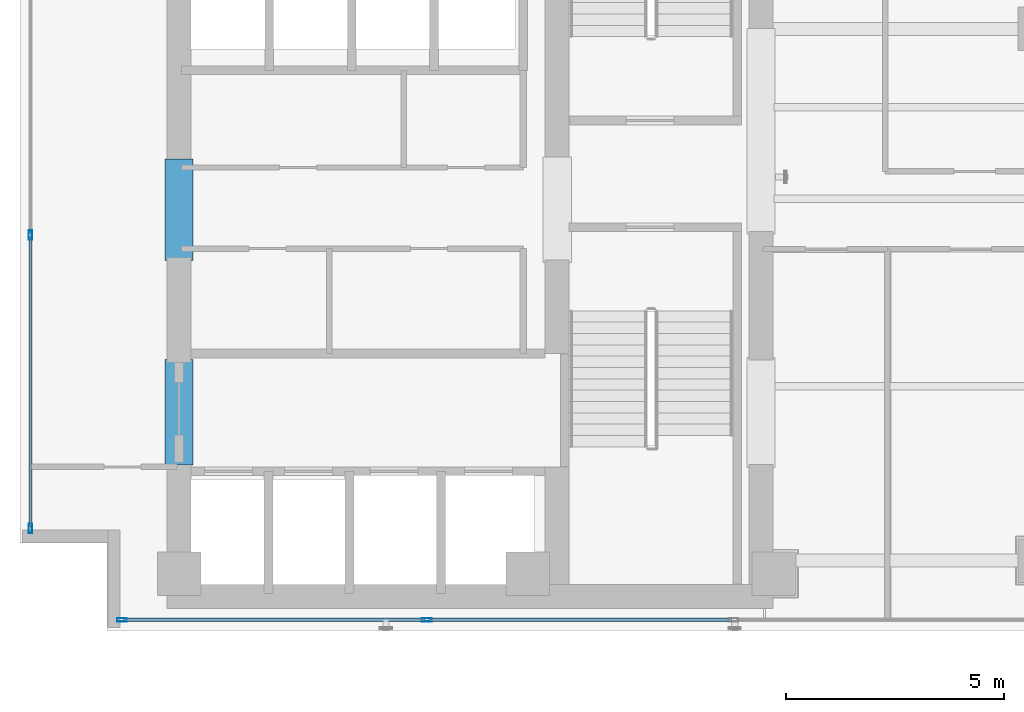
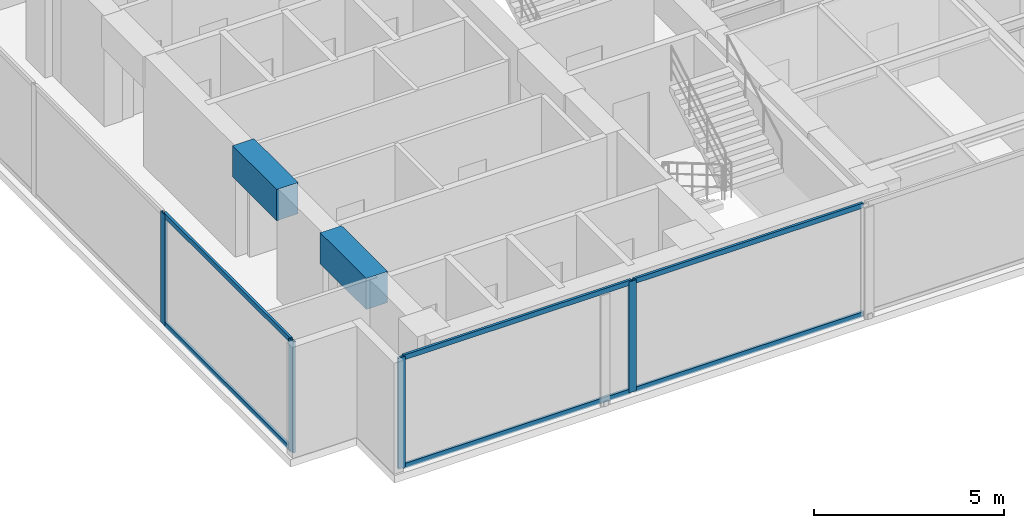
# One storey, part 2 of 24: 10 members, 2 beams, 2 elements without a shape of their own.
"""IFC4 building model written with IfcOpenShell, lengths in metres."""

from ifc_helpers import new_model, si_unit, direction, frame, origin, origin_with_axes, origin_2d, place, context, subcontext, project, spatial, rectangle, hollow_rectangle, extrude, source, transform, mapped, material, layer, layer_set, material_profile, profile_set, type_object, element, aggregate, save


model = new_model("IFC4")

# Units and contexts
model_context = context("Model", 3, precision=1e-05, world=origin(), true_north=direction((0.0, 1.0)))
body_context = subcontext(model_context, "Body", "Model", "MODEL_VIEW")
ifc_project = project(units=[si_unit("LENGTHUNIT", "METRE"), si_unit("AREAUNIT", "SQUARE_METRE"), si_unit("VOLUMEUNIT", "CUBIC_METRE"), si_unit("PLANEANGLEUNIT", "RADIAN"), si_unit("MASSUNIT", "GRAM", prefix="KILO")], contexts=[model_context])

# Site, building, storey
site_placement = place(None, origin())
site = spatial("IfcSite", under=ifc_project, at=site_placement, CompositionType="ELEMENT")
building_placement = place(site_placement, origin())
building = spatial("IfcBuilding", under=site, at=building_placement, Name="Kolvaren Waterfront Exchange", CompositionType="ELEMENT")
storey_placement = place(building_placement, frame((0.0, 0.0, 238.699951171875)))
storey = spatial("IfcBuildingStorey", under=building, at=storey_placement, Name="L61", CompositionType="ELEMENT", Elevation=238.699951171875)

# Beams
ifc_material_1 = material(Name="Concrete C60/75", Category="concrete")
ifc_material_profile_1 = material_profile(ifc_material_1, rectangle(XDim=0.64990234375, YDim=1.0, at=origin_2d()), Name="RC-CB-1000x650")
ifc_profile_set_1 = profile_set([ifc_material_profile_1], Name="Concrete C60/75")
beam_type = type_object("IfcBeamType", Name="STR-CB-1000", PredefinedType="SPANDREL", material=ifc_profile_set_1)
beam_1_placement = place(storey_placement, frame((7.449951171875, 7.389892578125, 3.06005859375), z_axis=(0.0, 1.0, 0.0), x_axis=(-1.0, 0.0, 0.0)))
element("IfcBeam", 1, at=beam_1_placement, inside=storey, type_object=beam_type, Name="L61 core coupling beam 3", PredefinedType="SPANDREL", context=body_context, shape_type="SweptSolid", body=[
    extrude(rectangle(XDim=0.64990234375, YDim=1.0, at=origin_2d()), origin(), (0.0, 0.0, 1.0), 2.420166015625),
])
beam_2_placement = place(storey_placement, frame((7.449951171875, 12.090087890625, 3.06005859375), z_axis=(0.0, 1.0, 0.0), x_axis=(-1.0, 0.0, 0.0)))
element("IfcBeam", 2, at=beam_2_placement, inside=storey, type_object=beam_type, Name="L61 core coupling beam 4", PredefinedType="SPANDREL", context=body_context, shape_type="SweptSolid", body=[
    extrude(rectangle(XDim=0.64990234375, YDim=1.0, at=origin_2d()), origin(), (0.0, 0.0, 1.0), 2.31982421875),
])

# Curtain wall, members
ifc_material_2 = material(Name="Anodised bronze aluminium 6063-T6", Category="aluminium")
ifc_layer_1 = layer(ifc_material_2, 0.219970703125, Name="Anodised bronze aluminium 6063-T6")
ifc_layer_set_1 = layer_set([ifc_layer_1], Name="Anodised bronze aluminium 6063-T6")
curtain_wall_type_1 = type_object("IfcCurtainWallType", Name="ARC-CW-SYS1", PredefinedType="USERDEFINED", material=ifc_layer_set_1)
curtain_wall_1_placement = place(storey_placement, origin())
curtain_wall_1 = element("IfcCurtainWall", 3, at=curtain_wall_1_placement, inside=storey, type_object=curtain_wall_type_1, Name="L61 stick curtain wall CW1 (CW-L61-S)", ObjectType="STICK CURTAIN WALL", PredefinedType="USERDEFINED")
ifc_material_3 = material(Name="Anodised aluminium 6063-T6", Category="aluminium")
ifc_material_profile_2 = material_profile(ifc_material_3, hollow_rectangle(XDim=0.080078125, YDim=0.219970703125, WallThickness=0.0048828125, at=origin_2d()), Name="ALU-MUL-220x80x5")
ifc_profile_set_2 = profile_set([ifc_material_profile_2], Name="Anodised aluminium 6063-T6")
member_type_1 = type_object("IfcMemberType", Name="ARC-CWM-220", PredefinedType="MULLION", material=ifc_profile_set_2)
shared_shape_1 = source(origin_with_axes(), body_context, "Body", "SweptSolid", [
    extrude(hollow_rectangle(XDim=0.080078125, YDim=0.219970703125, WallThickness=0.0048828125, at=origin_2d()), origin(), (0.0, 0.0, 1.0), 3.56005859375),
])
member_1_placement = place(storey_placement, frame((6.139892578125, 3.840087890625, 0.0), z_axis=(0.0, 0.0, 1.0), x_axis=(0.0, 1.0, 0.0)))
member_1 = element("IfcMember", 4, at=member_1_placement, type_object=member_type_1, Name="CW1 mullion 1", PredefinedType="MULLION", context=body_context, shape_type="MappedRepresentation", body=[
    mapped(shared_shape_1, transform((0.0, 0.0, 0.0), x_axis=(1.0, 0.0, 0.0), y_axis=(0.0, 1.0, 0.0), z_axis=(0.0, 0.0, 1.0), scale=1.0)),
])
member_2_placement = place(storey_placement, frame((13.13330078125, 3.840087890625, 0.0), z_axis=(0.0, 0.0, 1.0), x_axis=(0.0, 1.0, 0.0)))
member_2 = element("IfcMember", 5, at=member_2_placement, type_object=member_type_1, Name="CW1 mullion 2", PredefinedType="MULLION", context=body_context, shape_type="MappedRepresentation", body=[
    mapped(shared_shape_1, transform((0.0, 0.0, 0.0), x_axis=(1.0, 0.0, 0.0), y_axis=(0.0, 1.0, 0.0), z_axis=(0.0, 0.0, 1.0), scale=1.0)),
])

ifc_layer_2 = layer(ifc_material_3, 0.219970703125, Name="Anodised aluminium 6063-T6")
ifc_layer_set_2 = layer_set([ifc_layer_2], Name="Anodised aluminium 6063-T6")
curtain_wall_type_2 = type_object("IfcCurtainWallType", Name="ARC-CW-SYS2", PredefinedType="USERDEFINED", material=ifc_layer_set_2)
curtain_wall_2_placement = place(storey_placement, origin())
curtain_wall_2 = element("IfcCurtainWall", 6, at=curtain_wall_2_placement, inside=storey, type_object=curtain_wall_type_2, Name="L61 stick curtain wall CW2 (CW-L61-W)", ObjectType="STICK CURTAIN WALL", PredefinedType="USERDEFINED")
member_3_placement = place(storey_placement, frame((4.0400390625, 5.93994140625, 0.0), z_axis=(0.0, 0.0, 1.0), x_axis=(-1.0, 0.0, 0.0)))
member_3 = element("IfcMember", 7, at=member_3_placement, type_object=member_type_1, Name="CW2 mullion 1", PredefinedType="MULLION", context=body_context, shape_type="MappedRepresentation", body=[
    mapped(shared_shape_1, transform((0.0, 0.0, 0.0), x_axis=(1.0, 0.0, 0.0), y_axis=(0.0, 1.0, 0.0), z_axis=(0.0, 0.0, 1.0), scale=1.0)),
])
member_4_placement = place(storey_placement, frame((4.0400390625, 12.666748046875, 0.0), z_axis=(0.0, 0.0, 1.0), x_axis=(-1.0, 0.0, 0.0)))
member_4 = element("IfcMember", 8, at=member_4_placement, type_object=member_type_1, Name="CW2 mullion 2", PredefinedType="MULLION", context=body_context, shape_type="MappedRepresentation", body=[
    mapped(shared_shape_1, transform((0.0, 0.0, 0.0), x_axis=(1.0, 0.0, 0.0), y_axis=(0.0, 1.0, 0.0), z_axis=(0.0, 0.0, 1.0), scale=1.0)),
])
ifc_material_profile_3 = material_profile(ifc_material_3, hollow_rectangle(XDim=0.074951171875, YDim=0.159912109375, WallThickness=0.00439453125, at=origin_2d()), Name="ALU-TRN-160x75x4.5")
ifc_profile_set_3 = profile_set([ifc_material_profile_3], Name="Anodised aluminium 6063-T6")
member_type_2 = type_object("IfcMemberType", Name="ARC-CWT-160", PredefinedType="USERDEFINED", material=ifc_profile_set_3)
shared_shape_2 = source(origin_with_axes(), body_context, "Body", "SweptSolid", [
    extrude(hollow_rectangle(XDim=0.074951171875, YDim=0.159912109375, WallThickness=0.00439453125, at=origin_2d()), origin(), (0.0, 0.0, 1.0), 6.646728515625),
])
member_5_placement = place(storey_placement, frame((4.0400390625, 5.97998046875, 0.03759765625), z_axis=(0.0, 1.0, 0.0), x_axis=(-1.0, 0.0, 0.0)))
member_5 = element("IfcMember", 9, at=member_5_placement, type_object=member_type_2, Name="CW2 transom 1.1", ObjectType="TRANSOM", PredefinedType="USERDEFINED", context=body_context, shape_type="MappedRepresentation", body=[
    mapped(shared_shape_2, transform((0.0, 0.0, 0.0), x_axis=(1.0, 0.0, 0.0), y_axis=(0.0, 1.0, 0.0), z_axis=(0.0, 0.0, 1.0), scale=1.0)),
])
member_6_placement = place(storey_placement, frame((4.0400390625, 5.97998046875, 3.5224609375), z_axis=(0.0, 1.0, 0.0), x_axis=(-1.0, 0.0, 0.0)))
member_6 = element("IfcMember", 10, at=member_6_placement, type_object=member_type_2, Name="CW2 transom 1.2", ObjectType="TRANSOM", PredefinedType="USERDEFINED", context=body_context, shape_type="MappedRepresentation", body=[
    mapped(shared_shape_2, transform((0.0, 0.0, 0.0), x_axis=(1.0, 0.0, 0.0), y_axis=(0.0, 1.0, 0.0), z_axis=(0.0, 0.0, 1.0), scale=1.0)),
])
aggregate(curtain_wall_2, [member_3, member_4, member_5, member_6])

# Member
shared_shape_3 = source(origin_with_axes(), body_context, "Body", "SweptSolid", [
    extrude(hollow_rectangle(XDim=0.074951171875, YDim=0.159912109375, WallThickness=0.00439453125, at=origin_2d()), origin(), (0.0, 0.0, 1.0), 6.913330078125),
])
member_7_placement = place(storey_placement, frame((6.179931640625, 3.840087890625, 0.03759765625), z_axis=(1.0, 0.0, 0.0), x_axis=(0.0, 1.0, 0.0)))
member_7 = element("IfcMember", 11, at=member_7_placement, type_object=member_type_2, Name="CW1 transom 1.1", ObjectType="TRANSOM", PredefinedType="USERDEFINED", context=body_context, shape_type="MappedRepresentation", body=[
    mapped(shared_shape_3, transform((0.0, 0.0, 0.0), x_axis=(1.0, 0.0, 0.0), y_axis=(0.0, 1.0, 0.0), z_axis=(0.0, 0.0, 1.0), scale=1.0)),
])

member_8_placement = place(storey_placement, frame((6.179931640625, 3.840087890625, 3.5224609375), z_axis=(1.0, 0.0, 0.0), x_axis=(0.0, 1.0, 0.0)))
member_8 = element("IfcMember", 12, at=member_8_placement, type_object=member_type_2, Name="CW1 transom 1.2", ObjectType="TRANSOM", PredefinedType="USERDEFINED", context=body_context, shape_type="MappedRepresentation", body=[
    mapped(shared_shape_3, transform((0.0, 0.0, 0.0), x_axis=(1.0, 0.0, 0.0), y_axis=(0.0, 1.0, 0.0), z_axis=(0.0, 0.0, 1.0), scale=1.0)),
])

shared_shape_4 = source(origin_with_axes(), body_context, "Body", "SweptSolid", [
    extrude(hollow_rectangle(XDim=0.074951171875, YDim=0.159912109375, WallThickness=0.00439453125, at=origin_2d()), origin(), (0.0, 0.0, 1.0), 6.953369140625),
])
member_9_placement = place(storey_placement, frame((13.17333984375, 3.840087890625, 0.03759765625), z_axis=(1.0, 0.0, 0.0), x_axis=(0.0, 1.0, 0.0)))
member_9 = element("IfcMember", 13, at=member_9_placement, type_object=member_type_2, Name="CW1 transom 2.1", ObjectType="TRANSOM", PredefinedType="USERDEFINED", context=body_context, shape_type="MappedRepresentation", body=[
    mapped(shared_shape_4, transform((0.0, 0.0, 0.0), x_axis=(1.0, 0.0, 0.0), y_axis=(0.0, 1.0, 0.0), z_axis=(0.0, 0.0, 1.0), scale=1.0)),
])

member_10_placement = place(storey_placement, frame((13.17333984375, 3.840087890625, 3.5224609375), z_axis=(1.0, 0.0, 0.0), x_axis=(0.0, 1.0, 0.0)))
member_10 = element("IfcMember", 14, at=member_10_placement, type_object=member_type_2, Name="CW1 transom 2.2", ObjectType="TRANSOM", PredefinedType="USERDEFINED", context=body_context, shape_type="MappedRepresentation", body=[
    mapped(shared_shape_4, transform((0.0, 0.0, 0.0), x_axis=(1.0, 0.0, 0.0), y_axis=(0.0, 1.0, 0.0), z_axis=(0.0, 0.0, 1.0), scale=1.0)),
])

aggregate(curtain_wall_1, [member_1, member_2, member_7, member_8, member_9, member_10])

save(model, "model.ifc")
